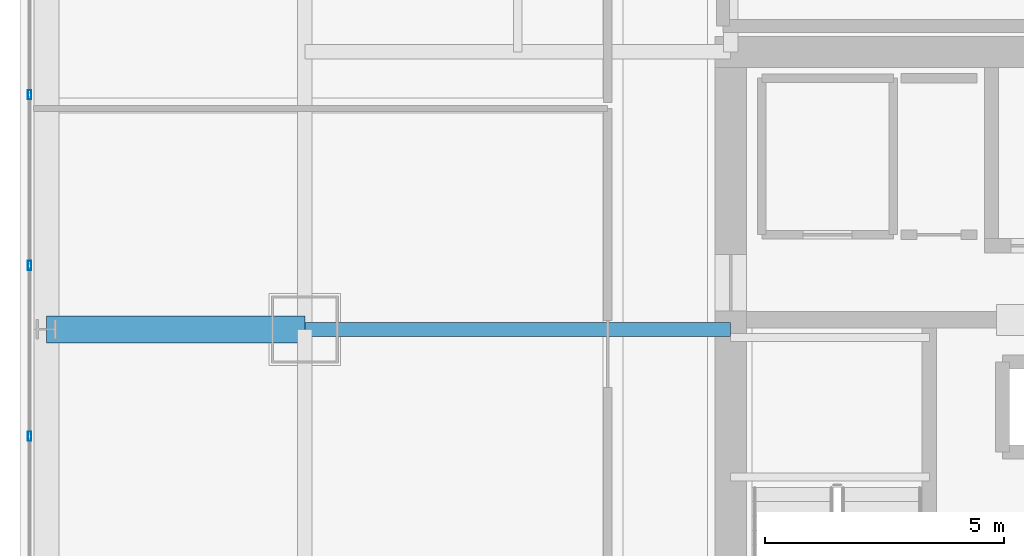
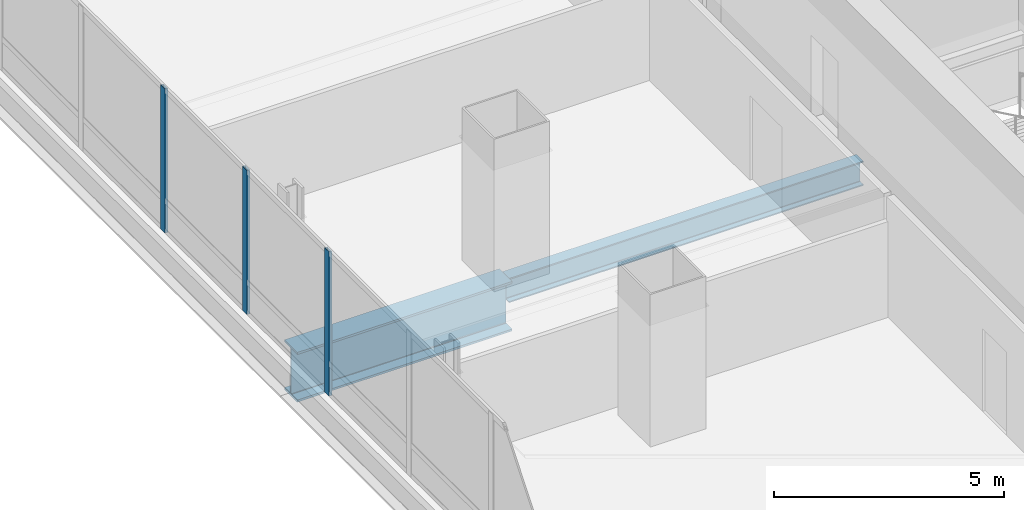
# One storey, part 11 of 36: 3 members, 2 beams, 1 element without a shape of its own.
"""IFC4 building model written with IfcOpenShell, lengths in metres."""

from ifc_helpers import new_model, si_unit, direction, frame, origin, origin_2d, place, context, subcontext, project, spatial, hollow_rectangle, i_section, extrude, material, material_profile, profile_set, type_object, element, aggregate, save


model = new_model("IFC4")

# Units and contexts
model_context = context("Model", 3, precision=1e-05, world=origin(), true_north=direction((0.0, 1.0)))
body_context = subcontext(model_context, "Body", "Model", "MODEL_VIEW")
ifc_project = project(units=[si_unit("LENGTHUNIT", "METRE"), si_unit("AREAUNIT", "SQUARE_METRE"), si_unit("VOLUMEUNIT", "CUBIC_METRE"), si_unit("PLANEANGLEUNIT", "RADIAN"), si_unit("MASSUNIT", "GRAM", prefix="KILO")], contexts=[model_context])

# Site, building, storey
site_placement = place(None, origin())
site = spatial("IfcSite", under=ifc_project, at=site_placement, CompositionType="ELEMENT")
building_placement = place(site_placement, origin())
building = spatial("IfcBuilding", under=site, at=building_placement, Name="Punatoya Terracotta Tower", CompositionType="ELEMENT")
storey_placement = place(building_placement, frame((0.0, 0.0, 196.5)))
storey = spatial("IfcBuildingStorey", under=building, at=storey_placement, Name="L46", CompositionType="ELEMENT", Elevation=196.5)

# Beams
ifc_material_1 = material(Name="Steel S355", Category="steel")
ifc_material_profile_1 = material_profile(ifc_material_1, i_section(OverallWidth=0.300048828125, OverallDepth=0.64990234375, WebThickness=0.01611328125, FlangeThickness=0.031005859375, FilletRadius=0.01806640625, at=origin_2d()))
ifc_profile_set_1 = profile_set([ifc_material_profile_1], Name="Steel S355")
beam_type_1 = type_object("IfcBeamType", Name="BM-PRI-650", PredefinedType="BEAM", material=ifc_profile_set_1)
beam_1_placement = place(storey_placement, frame((-19.10009765625, 3.39990234375, -0.544921875), z_axis=(1.0, 0.0, 0.0), x_axis=(0.0, 1.0, 0.0)))
element("IfcBeam", 1, at=beam_1_placement, inside=storey, type_object=beam_type_1, Name="BM-L46-PR-WE", PredefinedType="BEAM", context=body_context, shape_type="SweptSolid", body=[
    extrude(i_section(OverallWidth=0.300048828125, OverallDepth=0.64990234375, WebThickness=0.01611328125, FlangeThickness=0.031005859375, FilletRadius=0.01806640625, at=origin_2d()), origin(), (0.0, 0.0, 1.0), 8.900146484375),
])
ifc_material_2 = material(Name="Steel S460", Category="steel")
ifc_material_profile_2 = material_profile(ifc_material_2, i_section(OverallWidth=0.56005859375, OverallDepth=1.320068359375, WebThickness=0.035888671875, FlangeThickness=0.054931640625, FilletRadius=0.01806640625, at=origin_2d()))
ifc_profile_set_2 = profile_set([ifc_material_profile_2], Name="Steel S460")
beam_type_2 = type_object("IfcBeamType", Name="BM-TG-BLK", PredefinedType="BEAM", material=ifc_profile_set_2)
beam_2_placement = place(storey_placement, frame((-24.5, 3.39990234375, -0.8798828125), z_axis=(1.0, 0.0, 0.0), x_axis=(0.0, 1.0, 0.0)))
element("IfcBeam", 2, at=beam_2_placement, inside=storey, type_object=beam_type_2, Name="BM-L46-CANT-W3", PredefinedType="BEAM", context=body_context, shape_type="SweptSolid", body=[
    extrude(i_section(OverallWidth=0.56005859375, OverallDepth=1.320068359375, WebThickness=0.035888671875, FlangeThickness=0.054931640625, FilletRadius=0.01806640625, at=origin_2d()), origin(), (0.0, 0.0, 1.0), 5.39990234375),
])

# Curtain wall, members
ifc_material_3 = material(Name="Aluminium 6063-T6 + Double Low-E Glass", Category="aluminium")
curtain_wall_type = type_object("IfcCurtainWallType", Name="CW-M2", PredefinedType="NOTDEFINED", material=ifc_material_3)
curtain_wall_placement = place(storey_placement, origin())
curtain_wall = element("IfcCurtainWall", 3, at=curtain_wall_placement, inside=storey, type_object=curtain_wall_type, Name="L46 Curtain Wall CW-L46-W13-1", PredefinedType="NOTDEFINED")
ifc_material_4 = material(Name="Aluminium 6063-T6", Category="aluminium")
ifc_material_profile_3 = material_profile(ifc_material_4, hollow_rectangle(XDim=0.072021484375, YDim=0.195068359375, WallThickness=0.00439453125, at=origin_2d()))
ifc_profile_set_3 = profile_set([ifc_material_profile_3], Name="Aluminium 6063-T6")
member_type = type_object("IfcMemberType", Name="CW-MUL-M2", PredefinedType="MULLION", material=ifc_profile_set_3)
member_1_placement = place(storey_placement, frame((-24.85009765625, 8.302001953125, 0.0), z_axis=(0.0, 0.0, 1.0), x_axis=(1.0, 0.0, 0.0)))
member_1 = element("IfcMember", 4, at=member_1_placement, type_object=member_type, Name="CW-L46-W13-1 Mullion 02", PredefinedType="MULLION", context=body_context, shape_type="SweptSolid", body=[
    extrude(hollow_rectangle(XDim=0.072021484375, YDim=0.195068359375, WallThickness=0.00439453125, at=origin_2d()), origin(), (0.0, 0.0, 1.0), 3.830078125),
])
member_2_placement = place(storey_placement, frame((-24.85009765625, 4.73486328125, 0.0), z_axis=(0.0, 0.0, 1.0), x_axis=(1.0, 0.0, 0.0)))
member_2 = element("IfcMember", 5, at=member_2_placement, type_object=member_type, Name="CW-L46-W13-1 Mullion 03", PredefinedType="MULLION", context=body_context, shape_type="SweptSolid", body=[
    extrude(hollow_rectangle(XDim=0.072021484375, YDim=0.195068359375, WallThickness=0.00439453125, at=origin_2d()), origin(), (0.0, 0.0, 1.0), 3.830078125),
])
member_3_placement = place(storey_placement, frame((-24.85009765625, 1.16748046875, 0.0), z_axis=(0.0, 0.0, 1.0), x_axis=(1.0, 0.0, 0.0)))
member_3 = element("IfcMember", 6, at=member_3_placement, type_object=member_type, Name="CW-L46-W13-1 Mullion 04", PredefinedType="MULLION", context=body_context, shape_type="SweptSolid", body=[
    extrude(hollow_rectangle(XDim=0.072021484375, YDim=0.195068359375, WallThickness=0.00439453125, at=origin_2d()), origin(), (0.0, 0.0, 1.0), 3.830078125),
])
aggregate(curtain_wall, [member_1, member_2, member_3])

save(model, "model.ifc")
